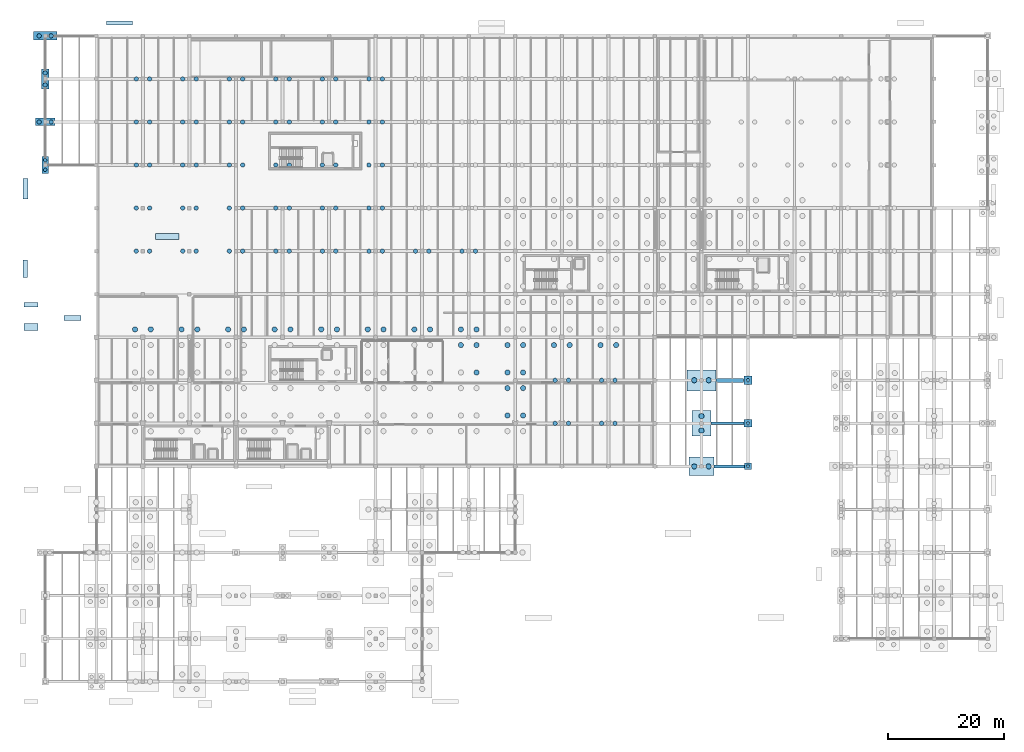
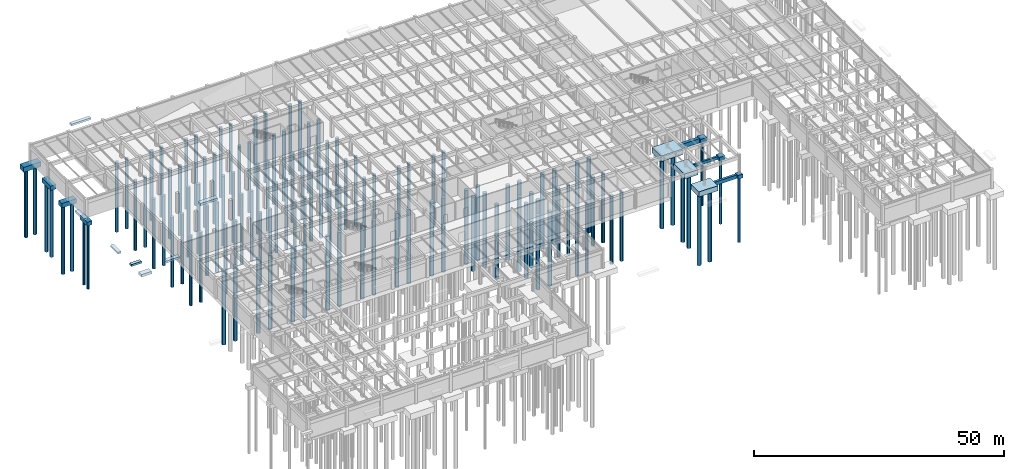
# One storey, part 4 of 40: 120 piles, 20 footings.
"""IFC4 building model written with IfcOpenShell, lengths in metres."""

from ifc_helpers import new_model, si_unit, direction, frame, origin, origin_2d, place, context, subcontext, project, spatial, polyline, rectangle, circle, outline, extrude, material, material_profile, profile_set, type_object, element, save


model = new_model("IFC4")

# Units and contexts
model_context = context("Model", 3, precision=1e-05, world=origin(), true_north=direction((0.0, 1.0)))
body_context = subcontext(model_context, "Body", "Model", "MODEL_VIEW")
ifc_project = project(units=[si_unit("LENGTHUNIT", "METRE"), si_unit("AREAUNIT", "SQUARE_METRE"), si_unit("VOLUMEUNIT", "CUBIC_METRE"), si_unit("PLANEANGLEUNIT", "RADIAN"), si_unit("MASSUNIT", "GRAM", prefix="KILO")], contexts=[model_context])

# Site, building, storey
site_placement = place(None, origin())
site = spatial("IfcSite", under=ifc_project, at=site_placement, CompositionType="ELEMENT")
building_placement = place(site_placement, origin())
building = spatial("IfcBuilding", under=site, at=building_placement, Name="Valkorina Park Police Headquarters", CompositionType="ELEMENT")
storey_placement = place(building_placement, frame((0.0, 0.0, -4.800048828125)))
storey = spatial("IfcBuildingStorey", under=building, at=storey_placement, Name="B01", CompositionType="ELEMENT", Elevation=-4.800048828125)

# Footings
ifc_material_1 = material(Name="Concrete C30/37", Category="concrete")
ifc_material_profile_1 = material_profile(ifc_material_1, rectangle(XDim=0.449951171875, YDim=0.699951171875, at=origin_2d()), Name="GB 450x700")
ifc_profile_set_1 = profile_set([ifc_material_profile_1], Name="Concrete C30/37")
footing_type_1 = type_object("IfcFootingType", Name="FT-GB-02", PredefinedType="FOOTING_BEAM", material=ifc_profile_set_1)
footing_1_placement = place(storey_placement, frame((0.0, 0.0, -0.699951171875)))
element("IfcFooting", 1, at=footing_1_placement, inside=storey, type_object=footing_type_1, Name="Pile Cap Tie Beam GB-02 #56", PredefinedType="FOOTING_BEAM", context=body_context, shape_type="SweptSolid", body=[
    extrude(outline(polyline([(120.1298828125, 44.175048828125), (120.1298828125, 44.625), (114.419921875, 44.625), (114.419921875, 44.175048828125), (120.1298828125, 44.175048828125)])), origin(), (0.0, 0.0, 1.0), 0.699951171875),
])
ifc_material_2 = material(Name="Concrete C35/45", Category="concrete")
ifc_material_profile_2 = material_profile(ifc_material_2, rectangle(XDim=0.550048828125, YDim=0.85009765625, at=origin_2d()), Name="GB 550x850")
ifc_profile_set_2 = profile_set([ifc_material_profile_2], Name="Concrete C35/45")
footing_type_2 = type_object("IfcFootingType", Name="FT-GB-04", PredefinedType="FOOTING_BEAM", material=ifc_profile_set_2)
footing_2_placement = place(storey_placement, frame((0.0, 0.0, -0.849853515625)))
element("IfcFooting", 2, at=footing_2_placement, inside=storey, type_object=footing_type_2, Name="Pile Cap Tie Beam GB-04 #52", PredefinedType="FOOTING_BEAM", context=body_context, shape_type="SweptSolid", body=[
    extrude(outline(polyline([(120.205078125, 36.72509765625), (120.205078125, 37.27490234375), (114.9951171875, 37.27490234375), (114.9951171875, 36.72509765625), (120.205078125, 36.72509765625)])), origin(), (0.0, 0.0, 1.0), 0.849853515625),
])
ifc_material_profile_3 = material_profile(ifc_material_2, rectangle(XDim=0.699951171875, YDim=1.050048828125, at=origin_2d()), Name="GB 700x1050")
ifc_profile_set_3 = profile_set([ifc_material_profile_3], Name="Concrete C35/45")
footing_type_3 = type_object("IfcFootingType", Name="FT-GB-06", PredefinedType="FOOTING_BEAM", material=ifc_profile_set_3)
footing_3_placement = place(storey_placement, frame((0.0, 0.0, -1.050048828125)))
element("IfcFooting", 3, at=footing_3_placement, inside=storey, type_object=footing_type_3, Name="Pile Cap Tie Beam GB-06 #60", PredefinedType="FOOTING_BEAM", context=body_context, shape_type="SweptSolid", body=[
    extrude(outline(polyline([(120.054931640625, 51.449951171875), (120.054931640625, 52.14990234375), (115.320068359375, 52.14990234375), (115.320068359375, 51.449951171875), (120.054931640625, 51.449951171875)])), origin(), (0.0, 0.0, 1.0), 1.050048828125),
])
ifc_material_3 = material(Name="Concrete C40/50", Category="concrete")
footing_type_4 = type_object("IfcFootingType", Name="FT-PC-01", PredefinedType="PILE_CAP", material=ifc_material_3)
footing_4_placement = place(storey_placement, frame((120.800048828125, 37.0, -0.89990234375), z_axis=(0.0, 0.0, 1.0), x_axis=(1.0, 0.0, 0.0)))
element("IfcFooting", 4, at=footing_4_placement, inside=storey, type_object=footing_type_4, Name="Pile Cap PC-01 #53", PredefinedType="PILE_CAP", context=body_context, shape_type="SweptSolid", body=[
    extrude(rectangle(XDim=1.14990234375, YDim=1.14990234375, at=origin_2d()), origin(), (0.0, 0.0, 1.0), 0.89990234375),
])
footing_type_5 = type_object("IfcFootingType", Name="FT-PC-02", PredefinedType="PILE_CAP", material=ifc_material_3)
footing_5_placement = place(storey_placement, frame((120.800048828125, 44.39990234375, -0.94970703125), z_axis=(0.0, 0.0, 1.0), x_axis=(1.0, 0.0, 0.0)))
element("IfcFooting", 5, at=footing_5_placement, inside=storey, type_object=footing_type_5, Name="Pile Cap PC-02 #54", PredefinedType="PILE_CAP", context=body_context, shape_type="SweptSolid", body=[
    extrude(rectangle(XDim=1.300048828125, YDim=1.300048828125, at=origin_2d()), origin(), (0.0, 0.0, 1.0), 0.949951171875),
])
footing_type_6 = type_object("IfcFootingType", Name="FT-PC-03", PredefinedType="PILE_CAP", material=ifc_material_3)
footing_6_placement = place(storey_placement, frame((120.800048828125, 51.800048828125, -1.0498046875), z_axis=(0.0, 0.0, 1.0), x_axis=(1.0, 0.0, 0.0)))
element("IfcFooting", 6, at=footing_6_placement, inside=storey, type_object=footing_type_6, Name="Pile Cap PC-03 #55", PredefinedType="PILE_CAP", context=body_context, shape_type="SweptSolid", body=[
    extrude(rectangle(XDim=1.449951171875, YDim=1.449951171875, at=origin_2d()), origin(), (0.0, 0.0, 1.0), 1.050048828125),
])
footing_type_7 = type_object("IfcFootingType", Name="FT-PC-05", PredefinedType="PILE_CAP", material=ifc_material_3)
footing_7_placement = place(storey_placement, frame((0.0, 88.800048828125, -0.94970703125), z_axis=(0.0, 0.0, 1.0), x_axis=(1.0, 0.0, 0.0)))
element("IfcFooting", 7, at=footing_7_placement, inside=storey, type_object=footing_type_7, Name="Pile Cap PC-05 #5", PredefinedType="PILE_CAP", context=body_context, shape_type="SweptSolid", body=[
    extrude(rectangle(XDim=1.14990234375, YDim=2.85009765625, at=origin_2d()), origin(), (0.0, 0.0, 1.0), 0.949951171875),
])
footing_type_8 = type_object("IfcFootingType", Name="FT-PC-06", PredefinedType="PILE_CAP", material=ifc_material_3)
footing_8_placement = place(storey_placement, frame((0.0, 96.199951171875, -1.0498046875), z_axis=(0.0, 0.0, 1.0), x_axis=(1.0, 0.0, 0.0)))
element("IfcFooting", 8, at=footing_8_placement, inside=storey, type_object=footing_type_8, Name="Pile Cap PC-06 #6", PredefinedType="PILE_CAP", context=body_context, shape_type="SweptSolid", body=[
    extrude(rectangle(XDim=3.39990234375, YDim=1.300048828125, at=origin_2d()), origin(), (0.0, 0.0, 1.0), 1.050048828125),
])
footing_type_9 = type_object("IfcFootingType", Name="FT-PC-07", PredefinedType="PILE_CAP", material=ifc_material_3)
footing_9_placement = place(storey_placement, frame((0.0, 103.60009765625, -1.0498046875), z_axis=(0.0, 0.0, 1.0), x_axis=(1.0, 0.0, 0.0)))
element("IfcFooting", 9, at=footing_9_placement, inside=storey, type_object=footing_type_9, Name="Pile Cap PC-07 #7", PredefinedType="PILE_CAP", context=body_context, shape_type="SweptSolid", body=[
    extrude(rectangle(XDim=1.300048828125, YDim=3.39990234375, at=origin_2d()), origin(), (0.0, 0.0, 1.0), 1.050048828125),
])
footing_type_10 = type_object("IfcFootingType", Name="FT-PC-08", PredefinedType="PILE_CAP", material=ifc_material_3)
footing_10_placement = place(storey_placement, frame((0.0, 111.0, -1.19970703125), z_axis=(0.0, 0.0, 1.0), x_axis=(1.0, 0.0, 0.0)))
element("IfcFooting", 10, at=footing_10_placement, inside=storey, type_object=footing_type_10, Name="Pile Cap PC-08 #8", PredefinedType="PILE_CAP", context=body_context, shape_type="SweptSolid", body=[
    extrude(rectangle(XDim=4.0, YDim=1.449951171875, at=origin_2d()), origin(), (0.0, 0.0, 1.0), 1.199951171875),
])
footing_type_11 = type_object("IfcFootingType", Name="FT-PC-24", PredefinedType="PILE_CAP", material=ifc_material_3)
footing_11_placement = place(storey_placement, frame((112.800048828125, 37.0, -1.25), z_axis=(0.0, 0.0, 1.0), x_axis=(1.0, 0.0, 0.0)))
element("IfcFooting", 11, at=footing_11_placement, inside=storey, type_object=footing_type_11, Name="Pile Cap PC-24 #50", PredefinedType="PILE_CAP", context=body_context, shape_type="SweptSolid", body=[
    extrude(rectangle(XDim=4.35009765625, YDim=3.199951171875, at=origin_2d()), origin(), (0.0, 0.0, 1.0), 1.25),
])
footing_type_12 = type_object("IfcFootingType", Name="FT-PC-25", PredefinedType="PILE_CAP", material=ifc_material_3)
footing_12_placement = place(storey_placement, frame((112.800048828125, 44.39990234375, -1.25), z_axis=(0.0, 0.0, 1.0), x_axis=(1.0, 0.0, 0.0)))
element("IfcFooting", 12, at=footing_12_placement, inside=storey, type_object=footing_type_12, Name="Pile Cap PC-25 #51", PredefinedType="PILE_CAP", context=body_context, shape_type="SweptSolid", body=[
    extrude(rectangle(XDim=3.199951171875, YDim=4.35009765625, at=origin_2d()), origin(), (0.0, 0.0, 1.0), 1.25),
])
footing_type_13 = type_object("IfcFootingType", Name="FT-PC-26", PredefinedType="PILE_CAP", material=ifc_material_3)
footing_13_placement = place(storey_placement, frame((112.800048828125, 51.800048828125, -1.39990234375), z_axis=(0.0, 0.0, 1.0), x_axis=(1.0, 0.0, 0.0)))
element("IfcFooting", 13, at=footing_13_placement, inside=storey, type_object=footing_type_13, Name="Pile Cap PC-26 #52", PredefinedType="PILE_CAP", context=body_context, shape_type="SweptSolid", body=[
    extrude(rectangle(XDim=5.0, YDim=3.60009765625, at=origin_2d()), origin(), (0.0, 0.0, 1.0), 1.39990234375),
])
ifc_material_profile_4 = material_profile(ifc_material_2, rectangle(XDim=0.75, YDim=0.449951171875, at=origin_2d()), Name="SF 750x450")
ifc_profile_set_4 = profile_set([ifc_material_profile_4], Name="Concrete C35/45")
footing_type_14 = type_object("IfcFootingType", Name="FT-SF-01", PredefinedType="STRIP_FOOTING", material=ifc_profile_set_4)
footing_14_placement = place(storey_placement, frame((0.0, 0.0, 4.170166015625)))
element("IfcFooting", 14, at=footing_14_placement, inside=storey, type_object=footing_type_14, Name="Grade Apron Strip Footing SF-01 #5", PredefinedType="STRIP_FOOTING", context=body_context, shape_type="SweptSolid", body=[
    extrude(outline(polyline([(-1.199951171875, 64.425048828125), (-1.199951171875, 65.175048828125), (-3.60009765625, 65.175048828125), (-3.60009765625, 64.425048828125), (-1.199951171875, 64.425048828125)])), origin(), (0.0, 0.0, 1.0), 0.449951171875),
])
footing_15_placement = place(storey_placement, frame((0.0, 0.0, 4.170166015625)))
element("IfcFooting", 15, at=footing_15_placement, inside=storey, type_object=footing_type_14, Name="Grade Apron Strip Footing SF-01 #17", PredefinedType="STRIP_FOOTING", context=body_context, shape_type="SweptSolid", body=[
    extrude(outline(polyline([(15.0, 112.824951171875), (15.0, 113.574951171875), (10.5, 113.574951171875), (10.5, 112.824951171875), (15.0, 112.824951171875)])), origin(), (0.0, 0.0, 1.0), 0.449951171875),
])
footing_16_placement = place(storey_placement, frame((0.0, 0.0, 4.170166015625)))
element("IfcFooting", 16, at=footing_16_placement, inside=storey, type_object=footing_type_14, Name="Grade Apron Strip Footing SF-01 #21", PredefinedType="STRIP_FOOTING", context=body_context, shape_type="SweptSolid", body=[
    extrude(outline(polyline([(-3.02490234375, 69.5), (-3.02490234375, 72.5), (-3.77490234375, 72.5), (-3.77490234375, 69.5), (-3.02490234375, 69.5)])), origin(), (0.0, 0.0, 1.0), 0.449951171875),
])
ifc_material_profile_5 = material_profile(ifc_material_2, rectangle(XDim=0.89990234375, YDim=0.5, at=origin_2d()), Name="SF 900x500")
ifc_profile_set_5 = profile_set([ifc_material_profile_5], Name="Concrete C35/45")
footing_type_15 = type_object("IfcFootingType", Name="FT-SF-02", PredefinedType="STRIP_FOOTING", material=ifc_profile_set_5)
footing_17_placement = place(storey_placement, frame((0.0, 0.0, 4.1201171875)))
element("IfcFooting", 17, at=footing_17_placement, inside=storey, type_object=footing_type_15, Name="Grade Apron Strip Footing SF-02 #6", PredefinedType="STRIP_FOOTING", context=body_context, shape_type="SweptSolid", body=[
    extrude(outline(polyline([(6.199951171875, 62.050048828125), (6.199951171875, 62.949951171875), (3.199951171875, 62.949951171875), (3.199951171875, 62.050048828125), (6.199951171875, 62.050048828125)])), origin(), (0.0, 0.0, 1.0), 0.5),
])
footing_18_placement = place(storey_placement, frame((0.0, 0.0, 4.1201171875)))
element("IfcFooting", 18, at=footing_18_placement, inside=storey, type_object=footing_type_15, Name="Grade Apron Strip Footing SF-02 #22", PredefinedType="STRIP_FOOTING", context=body_context, shape_type="SweptSolid", body=[
    extrude(outline(polyline([(-2.949951171875, 83.0), (-2.949951171875, 86.5), (-3.85009765625, 86.5), (-3.85009765625, 83.0), (-2.949951171875, 83.0)])), origin(), (0.0, 0.0, 1.0), 0.5),
])
ifc_material_profile_6 = material_profile(ifc_material_2, rectangle(XDim=1.050048828125, YDim=0.550048828125, at=origin_2d()), Name="SF 1050x550")
ifc_profile_set_6 = profile_set([ifc_material_profile_6], Name="Concrete C35/45")
footing_type_16 = type_object("IfcFootingType", Name="FT-SF-03", PredefinedType="STRIP_FOOTING", material=ifc_profile_set_6)
footing_19_placement = place(storey_placement, frame((0.0, 0.0, 4.070068359375)))
element("IfcFooting", 19, at=footing_19_placement, inside=storey, type_object=footing_type_16, Name="Grade Apron Strip Footing SF-03 #23", PredefinedType="STRIP_FOOTING", context=body_context, shape_type="SweptSolid", body=[
    extrude(outline(polyline([(23.0, 75.97509765625), (23.0, 77.02490234375), (19.0, 77.02490234375), (19.0, 75.97509765625), (23.0, 75.97509765625)])), origin(), (0.0, 0.0, 1.0), 0.550048828125),
])
ifc_material_profile_7 = material_profile(ifc_material_2, rectangle(XDim=1.199951171875, YDim=0.60009765625, at=origin_2d()), Name="SF 1200x600")
ifc_profile_set_7 = profile_set([ifc_material_profile_7], Name="Concrete C35/45")
footing_type_17 = type_object("IfcFootingType", Name="FT-SF-04", PredefinedType="STRIP_FOOTING", material=ifc_profile_set_7)
footing_20_placement = place(storey_placement, frame((0.0, 0.0, 4.02001953125)))
element("IfcFooting", 20, at=footing_20_placement, inside=storey, type_object=footing_type_17, Name="Grade Apron Strip Footing SF-04 #4", PredefinedType="STRIP_FOOTING", context=body_context, shape_type="SweptSolid", body=[
    extrude(outline(polyline([(-1.199951171875, 60.39990234375), (-1.199951171875, 61.60009765625), (-3.60009765625, 61.60009765625), (-3.60009765625, 60.39990234375), (-1.199951171875, 60.39990234375)])), origin(), (0.0, 0.0, 1.0), 0.60009765625),
])

# Piles
ifc_material_profile_8 = material_profile(ifc_material_1, circle(Radius=0.300048828125, at=origin_2d()), Name="BORED PILE D600")
ifc_profile_set_8 = profile_set([ifc_material_profile_8], Name="Concrete C30/37")
pile_type_1 = type_object("IfcPileType", Name="PL-BORED-D600", PredefinedType="BORED", material=ifc_profile_set_8)
for number, where, z_axis, x_axis, name in (
    (21, (0.0, 87.97509765625, -0.800048828125), (0.0, 0.0, -1.0), (1.0, 0.0, 0.0), "Bored Pile 0360 (Cap PC-05)"),
    (22, (0.0, 89.625, -0.800048828125), (0.0, 0.0, -1.0), (1.0, 0.0, 0.0), "Bored Pile 0361 (Cap PC-05)"),
):
    element("IfcPile", number, at=place(storey_placement, frame(where, z_axis=z_axis, x_axis=x_axis)), inside=storey, type_object=pile_type_1, Name=name, PredefinedType="BORED", context=body_context, shape_type="SweptSolid", body=[
        extrude(circle(Radius=0.300048828125, at=origin_2d()), origin(), (0.0, 0.0, 1.0), 15.89990234375),
    ])
pile_1_placement = place(storey_placement, frame((120.800048828125, 37.0, -0.75), z_axis=(0.0, 0.0, -1.0), x_axis=(1.0, 0.0, 0.0)))
element("IfcPile", 23, at=pile_1_placement, inside=storey, type_object=pile_type_1, Name="Bored Pile 0481 (Cap PC-01)", PredefinedType="BORED", context=body_context, shape_type="SweptSolid", body=[
    extrude(circle(Radius=0.300048828125, at=origin_2d()), origin(), (0.0, 0.0, 1.0), 15.949951171875),
])
pile_2_placement = place(storey_placement, frame((120.800048828125, 44.39990234375, -0.800048828125), z_axis=(0.0, 0.0, -1.0), x_axis=(1.0, 0.0, 0.0)))
element("IfcPile", 24, at=pile_2_placement, inside=storey, type_object=pile_type_1, Name="Bored Pile 0482 (Cap PC-02)", PredefinedType="BORED", context=body_context, shape_type="SweptSolid", body=[
    extrude(circle(Radius=0.300048828125, at=origin_2d()), origin(), (0.0, 0.0, 1.0), 15.89990234375),
])
pile_3_placement = place(storey_placement, frame((120.800048828125, 51.800048828125, -0.89990234375), z_axis=(0.0, 0.0, -1.0), x_axis=(1.0, 0.0, 0.0)))
element("IfcPile", 25, at=pile_3_placement, inside=storey, type_object=pile_type_1, Name="Bored Pile 0483 (Cap PC-03)", PredefinedType="BORED", context=body_context, shape_type="SweptSolid", body=[
    extrude(circle(Radius=0.300048828125, at=origin_2d()), origin(), (0.0, 0.0, 1.0), 15.800048828125),
])
ifc_material_profile_9 = material_profile(ifc_material_1, circle(Radius=0.375, at=origin_2d()), Name="BORED PILE D750")
ifc_profile_set_9 = profile_set([ifc_material_profile_9], Name="Concrete C30/37")
pile_type_2 = type_object("IfcPileType", Name="PL-BORED-D750", PredefinedType="BORED", material=ifc_profile_set_9)
for number, where, z_axis, x_axis, name in (
    (26, (15.64990234375, 74.0, -0.64990234375), (0.0, 0.0, -1.0), (1.0, 0.0, 0.0), "Bored Pile 0013 (Raft Cluster)"),
    (27, (17.949951171875, 74.0, -0.64990234375), (0.0, 0.0, -1.0), (1.0, 0.0, 0.0), "Bored Pile 0014 (Raft Cluster)"),
    (28, (15.64990234375, 81.39990234375, -0.64990234375), (0.0, 0.0, -1.0), (1.0, 0.0, 0.0), "Bored Pile 0015 (Raft Cluster)"),
    (29, (17.949951171875, 81.39990234375, -0.64990234375), (0.0, 0.0, -1.0), (1.0, 0.0, 0.0), "Bored Pile 0016 (Raft Cluster)"),
    (30, (15.64990234375, 88.800048828125, -0.64990234375), (0.0, 0.0, -1.0), (1.0, 0.0, 0.0), "Bored Pile 0017 (Raft Cluster)"),
    (31, (17.949951171875, 88.800048828125, -0.64990234375), (0.0, 0.0, -1.0), (1.0, 0.0, 0.0), "Bored Pile 0018 (Raft Cluster)"),
    (32, (15.64990234375, 96.199951171875, -0.64990234375), (0.0, 0.0, -1.0), (1.0, 0.0, 0.0), "Bored Pile 0019 (Raft Cluster)"),
    (33, (17.949951171875, 96.199951171875, -0.64990234375), (0.0, 0.0, -1.0), (1.0, 0.0, 0.0), "Bored Pile 0020 (Raft Cluster)"),
    (34, (15.64990234375, 103.60009765625, -0.64990234375), (0.0, 0.0, -1.0), (1.0, 0.0, 0.0), "Bored Pile 0021 (Raft Cluster)"),
    (35, (17.949951171875, 103.60009765625, -0.64990234375), (0.0, 0.0, -1.0), (1.0, 0.0, 0.0), "Bored Pile 0022 (Raft Cluster)"),
    (36, (23.64990234375, 74.0, -0.64990234375), (0.0, 0.0, -1.0), (1.0, 0.0, 0.0), "Bored Pile 0035 (Raft Cluster)"),
    (37, (25.949951171875, 74.0, -0.64990234375), (0.0, 0.0, -1.0), (1.0, 0.0, 0.0), "Bored Pile 0036 (Raft Cluster)"),
    (38, (23.64990234375, 81.39990234375, -0.64990234375), (0.0, 0.0, -1.0), (1.0, 0.0, 0.0), "Bored Pile 0037 (Raft Cluster)"),
    (39, (25.949951171875, 81.39990234375, -0.64990234375), (0.0, 0.0, -1.0), (1.0, 0.0, 0.0), "Bored Pile 0038 (Raft Cluster)"),
    (40, (23.64990234375, 88.800048828125, -0.64990234375), (0.0, 0.0, -1.0), (1.0, 0.0, 0.0), "Bored Pile 0039 (Raft Cluster)"),
    (41, (25.949951171875, 88.800048828125, -0.64990234375), (0.0, 0.0, -1.0), (1.0, 0.0, 0.0), "Bored Pile 0040 (Raft Cluster)"),
    (42, (23.64990234375, 96.199951171875, -0.64990234375), (0.0, 0.0, -1.0), (1.0, 0.0, 0.0), "Bored Pile 0041 (Raft Cluster)"),
    (43, (25.949951171875, 96.199951171875, -0.64990234375), (0.0, 0.0, -1.0), (1.0, 0.0, 0.0), "Bored Pile 0042 (Raft Cluster)"),
    (44, (23.64990234375, 103.60009765625, -0.64990234375), (0.0, 0.0, -1.0), (1.0, 0.0, 0.0), "Bored Pile 0043 (Raft Cluster)"),
    (45, (25.949951171875, 103.60009765625, -0.64990234375), (0.0, 0.0, -1.0), (1.0, 0.0, 0.0), "Bored Pile 0044 (Raft Cluster)"),
    (46, (31.64990234375, 74.0, -0.64990234375), (0.0, 0.0, -1.0), (1.0, 0.0, 0.0), "Bored Pile 0057 (Raft Cluster)"),
    (47, (33.949951171875, 74.0, -0.64990234375), (0.0, 0.0, -1.0), (1.0, 0.0, 0.0), "Bored Pile 0058 (Raft Cluster)"),
    (48, (31.64990234375, 81.39990234375, -0.64990234375), (0.0, 0.0, -1.0), (1.0, 0.0, 0.0), "Bored Pile 0059 (Raft Cluster)"),
    (49, (33.949951171875, 81.39990234375, -0.64990234375), (0.0, 0.0, -1.0), (1.0, 0.0, 0.0), "Bored Pile 0060 (Raft Cluster)"),
    (50, (31.64990234375, 88.800048828125, -0.64990234375), (0.0, 0.0, -1.0), (1.0, 0.0, 0.0), "Bored Pile 0061 (Raft Cluster)"),
    (51, (33.949951171875, 88.800048828125, -0.64990234375), (0.0, 0.0, -1.0), (1.0, 0.0, 0.0), "Bored Pile 0062 (Raft Cluster)"),
    (52, (31.64990234375, 96.199951171875, -0.64990234375), (0.0, 0.0, -1.0), (1.0, 0.0, 0.0), "Bored Pile 0063 (Raft Cluster)"),
    (53, (33.949951171875, 96.199951171875, -0.64990234375), (0.0, 0.0, -1.0), (1.0, 0.0, 0.0), "Bored Pile 0064 (Raft Cluster)"),
    (54, (31.64990234375, 103.60009765625, -0.64990234375), (0.0, 0.0, -1.0), (1.0, 0.0, 0.0), "Bored Pile 0065 (Raft Cluster)"),
    (55, (33.949951171875, 103.60009765625, -0.64990234375), (0.0, 0.0, -1.0), (1.0, 0.0, 0.0), "Bored Pile 0066 (Raft Cluster)"),
    (56, (39.64990234375, 74.0, -0.64990234375), (0.0, 0.0, -1.0), (1.0, 0.0, 0.0), "Bored Pile 0079 (Raft Cluster)"),
    (57, (41.949951171875, 74.0, -0.64990234375), (0.0, 0.0, -1.0), (1.0, 0.0, 0.0), "Bored Pile 0080 (Raft Cluster)"),
    (58, (39.64990234375, 81.39990234375, -0.64990234375), (0.0, 0.0, -1.0), (1.0, 0.0, 0.0), "Bored Pile 0081 (Raft Cluster)"),
    (59, (41.949951171875, 81.39990234375, -0.64990234375), (0.0, 0.0, -1.0), (1.0, 0.0, 0.0), "Bored Pile 0082 (Raft Cluster)"),
    (60, (39.64990234375, 88.800048828125, -0.64990234375), (0.0, 0.0, -1.0), (1.0, 0.0, 0.0), "Bored Pile 0083 (Raft Cluster)"),
    (61, (41.949951171875, 88.800048828125, -0.64990234375), (0.0, 0.0, -1.0), (1.0, 0.0, 0.0), "Bored Pile 0084 (Raft Cluster)"),
    (62, (39.64990234375, 96.199951171875, -0.64990234375), (0.0, 0.0, -1.0), (1.0, 0.0, 0.0), "Bored Pile 0085 (Raft Cluster)"),
    (63, (41.949951171875, 96.199951171875, -0.64990234375), (0.0, 0.0, -1.0), (1.0, 0.0, 0.0), "Bored Pile 0086 (Raft Cluster)"),
    (64, (39.64990234375, 103.60009765625, -0.64990234375), (0.0, 0.0, -1.0), (1.0, 0.0, 0.0), "Bored Pile 0087 (Raft Cluster)"),
    (65, (41.949951171875, 103.60009765625, -0.64990234375), (0.0, 0.0, -1.0), (1.0, 0.0, 0.0), "Bored Pile 0088 (Raft Cluster)"),
    (66, (47.64990234375, 74.0, -0.64990234375), (0.0, 0.0, -1.0), (1.0, 0.0, 0.0), "Bored Pile 0101 (Raft Cluster)"),
    (67, (49.949951171875, 74.0, -0.64990234375), (0.0, 0.0, -1.0), (1.0, 0.0, 0.0), "Bored Pile 0102 (Raft Cluster)"),
    (68, (47.64990234375, 81.39990234375, -0.64990234375), (0.0, 0.0, -1.0), (1.0, 0.0, 0.0), "Bored Pile 0103 (Raft Cluster)"),
    (69, (49.949951171875, 81.39990234375, -0.64990234375), (0.0, 0.0, -1.0), (1.0, 0.0, 0.0), "Bored Pile 0104 (Raft Cluster)"),
    (70, (47.64990234375, 88.800048828125, -0.64990234375), (0.0, 0.0, -1.0), (1.0, 0.0, 0.0), "Bored Pile 0105 (Raft Cluster)"),
    (71, (49.949951171875, 88.800048828125, -0.64990234375), (0.0, 0.0, -1.0), (1.0, 0.0, 0.0), "Bored Pile 0106 (Raft Cluster)"),
    (72, (47.64990234375, 96.199951171875, -0.64990234375), (0.0, 0.0, -1.0), (1.0, 0.0, 0.0), "Bored Pile 0107 (Raft Cluster)"),
    (73, (49.949951171875, 96.199951171875, -0.64990234375), (0.0, 0.0, -1.0), (1.0, 0.0, 0.0), "Bored Pile 0108 (Raft Cluster)"),
    (74, (47.64990234375, 103.60009765625, -0.64990234375), (0.0, 0.0, -1.0), (1.0, 0.0, 0.0), "Bored Pile 0109 (Raft Cluster)"),
    (75, (49.949951171875, 103.60009765625, -0.64990234375), (0.0, 0.0, -1.0), (1.0, 0.0, 0.0), "Bored Pile 0110 (Raft Cluster)"),
    (76, (55.64990234375, 74.0, -0.64990234375), (0.0, 0.0, -1.0), (1.0, 0.0, 0.0), "Bored Pile 0123 (Raft Cluster)"),
    (77, (57.949951171875, 74.0, -0.64990234375), (0.0, 0.0, -1.0), (1.0, 0.0, 0.0), "Bored Pile 0124 (Raft Cluster)"),
    (78, (55.64990234375, 81.39990234375, -0.64990234375), (0.0, 0.0, -1.0), (1.0, 0.0, 0.0), "Bored Pile 0125 (Raft Cluster)"),
    (79, (57.949951171875, 81.39990234375, -0.64990234375), (0.0, 0.0, -1.0), (1.0, 0.0, 0.0), "Bored Pile 0126 (Raft Cluster)"),
    (80, (55.64990234375, 88.800048828125, -0.64990234375), (0.0, 0.0, -1.0), (1.0, 0.0, 0.0), "Bored Pile 0127 (Raft Cluster)"),
    (81, (57.949951171875, 88.800048828125, -0.64990234375), (0.0, 0.0, -1.0), (1.0, 0.0, 0.0), "Bored Pile 0128 (Raft Cluster)"),
    (82, (55.64990234375, 96.199951171875, -0.64990234375), (0.0, 0.0, -1.0), (1.0, 0.0, 0.0), "Bored Pile 0129 (Raft Cluster)"),
    (83, (57.949951171875, 96.199951171875, -0.64990234375), (0.0, 0.0, -1.0), (1.0, 0.0, 0.0), "Bored Pile 0130 (Raft Cluster)"),
    (84, (55.64990234375, 103.60009765625, -0.64990234375), (0.0, 0.0, -1.0), (1.0, 0.0, 0.0), "Bored Pile 0131 (Raft Cluster)"),
    (85, (57.949951171875, 103.60009765625, -0.64990234375), (0.0, 0.0, -1.0), (1.0, 0.0, 0.0), "Bored Pile 0132 (Raft Cluster)"),
    (86, (63.64990234375, 74.0, -0.64990234375), (0.0, 0.0, -1.0), (1.0, 0.0, 0.0), "Bored Pile 0145 (Raft Cluster)"),
    (87, (65.949951171875, 74.0, -0.64990234375), (0.0, 0.0, -1.0), (1.0, 0.0, 0.0), "Bored Pile 0146 (Raft Cluster)"),
    (88, (71.64990234375, 74.0, -0.64990234375), (0.0, 0.0, -1.0), (1.0, 0.0, 0.0), "Bored Pile 0167 (Raft Cluster)"),
    (89, (73.949951171875, 74.0, -0.64990234375), (0.0, 0.0, -1.0), (1.0, 0.0, 0.0), "Bored Pile 0168 (Raft Cluster)"),
):
    element("IfcPile", number, at=place(storey_placement, frame(where, z_axis=z_axis, x_axis=x_axis)), inside=storey, type_object=pile_type_2, Name=name, PredefinedType="BORED", context=body_context, shape_type="SweptSolid", body=[
        extrude(circle(Radius=0.375, at=origin_2d()), origin(), (0.0, 0.0, 1.0), 17.050048828125),
    ])
for number, where, z_axis, x_axis, name in (
    (90, (87.64990234375, 44.39990234375, -0.89990234375), (0.0, 0.0, -1.0), (1.0, 0.0, 0.0), "Bored Pile 0207 (Raft Cluster)"),
    (91, (89.949951171875, 44.39990234375, -0.89990234375), (0.0, 0.0, -1.0), (1.0, 0.0, 0.0), "Bored Pile 0208 (Raft Cluster)"),
    (92, (87.64990234375, 51.800048828125, -0.89990234375), (0.0, 0.0, -1.0), (1.0, 0.0, 0.0), "Bored Pile 0209 (Raft Cluster)"),
    (93, (89.949951171875, 51.800048828125, -0.89990234375), (0.0, 0.0, -1.0), (1.0, 0.0, 0.0), "Bored Pile 0210 (Raft Cluster)"),
    (94, (95.64990234375, 44.39990234375, -0.89990234375), (0.0, 0.0, -1.0), (1.0, 0.0, 0.0), "Bored Pile 0233 (Raft Cluster)"),
    (95, (97.949951171875, 44.39990234375, -0.89990234375), (0.0, 0.0, -1.0), (1.0, 0.0, 0.0), "Bored Pile 0234 (Raft Cluster)"),
    (96, (95.64990234375, 51.800048828125, -0.89990234375), (0.0, 0.0, -1.0), (1.0, 0.0, 0.0), "Bored Pile 0235 (Raft Cluster)"),
    (97, (97.949951171875, 51.800048828125, -0.89990234375), (0.0, 0.0, -1.0), (1.0, 0.0, 0.0), "Bored Pile 0236 (Raft Cluster)"),
    (98, (-1.03125, 96.199951171875, -0.89990234375), (0.0, 0.0, -1.0), (1.0, 0.0, 0.0), "Bored Pile 0362 (Cap PC-06)"),
    (99, (1.03125, 96.199951171875, -0.89990234375), (0.0, 0.0, -1.0), (1.0, 0.0, 0.0), "Bored Pile 0363 (Cap PC-06)"),
    (100, (0.0, 102.568603515625, -0.89990234375), (0.0, 0.0, -1.0), (1.0, 0.0, 0.0), "Bored Pile 0364 (Cap PC-07)"),
    (101, (0.0, 104.631103515625, -0.89990234375), (0.0, 0.0, -1.0), (1.0, 0.0, 0.0), "Bored Pile 0365 (Cap PC-07)"),
):
    element("IfcPile", number, at=place(storey_placement, frame(where, z_axis=z_axis, x_axis=x_axis)), inside=storey, type_object=pile_type_2, Name=name, PredefinedType="BORED", context=body_context, shape_type="SweptSolid", body=[
        extrude(circle(Radius=0.375, at=origin_2d()), origin(), (0.0, 0.0, 1.0), 16.800048828125),
    ])
for number, where, z_axis, x_axis, name in (
    (102, (-1.03125, 111.0, -1.050048828125), (0.0, 0.0, -1.0), (1.0, 0.0, 0.0), "Bored Pile 0366 (Cap PC-08)"),
    (103, (1.03125, 111.0, -1.050048828125), (0.0, 0.0, -1.0), (1.0, 0.0, 0.0), "Bored Pile 0367 (Cap PC-08)"),
):
    element("IfcPile", number, at=place(storey_placement, frame(where, z_axis=z_axis, x_axis=x_axis)), inside=storey, type_object=pile_type_2, Name=name, PredefinedType="BORED", context=body_context, shape_type="SweptSolid", body=[
        extrude(circle(Radius=0.375, at=origin_2d()), origin(), (0.0, 0.0, 1.0), 16.64990234375),
    ])
ifc_material_profile_10 = material_profile(ifc_material_2, circle(Radius=0.449951171875, at=origin_2d()), Name="BORED PILE D900")
ifc_profile_set_10 = profile_set([ifc_material_profile_10], Name="Concrete C35/45")
pile_type_3 = type_object("IfcPileType", Name="PL-BORED-D900", PredefinedType="BORED", material=ifc_profile_set_10)
for number, where, z_axis, x_axis, name in (
    (104, (15.449951171875, 60.550048828125, -0.89990234375), (0.0, 0.0, -1.0), (1.0, 0.0, 0.0), "Bored Pile 0011 (Raft Cluster)"),
    (105, (18.14990234375, 60.550048828125, -0.89990234375), (0.0, 0.0, -1.0), (1.0, 0.0, 0.0), "Bored Pile 0012 (Raft Cluster)"),
    (106, (23.449951171875, 60.550048828125, -0.89990234375), (0.0, 0.0, -1.0), (1.0, 0.0, 0.0), "Bored Pile 0033 (Raft Cluster)"),
    (107, (26.14990234375, 60.550048828125, -0.89990234375), (0.0, 0.0, -1.0), (1.0, 0.0, 0.0), "Bored Pile 0034 (Raft Cluster)"),
    (108, (31.449951171875, 60.550048828125, -0.89990234375), (0.0, 0.0, -1.0), (1.0, 0.0, 0.0), "Bored Pile 0055 (Raft Cluster)"),
    (109, (34.14990234375, 60.550048828125, -0.89990234375), (0.0, 0.0, -1.0), (1.0, 0.0, 0.0), "Bored Pile 0056 (Raft Cluster)"),
    (110, (39.449951171875, 60.550048828125, -0.89990234375), (0.0, 0.0, -1.0), (1.0, 0.0, 0.0), "Bored Pile 0077 (Raft Cluster)"),
    (111, (42.14990234375, 60.550048828125, -0.89990234375), (0.0, 0.0, -1.0), (1.0, 0.0, 0.0), "Bored Pile 0078 (Raft Cluster)"),
    (112, (47.449951171875, 60.550048828125, -0.89990234375), (0.0, 0.0, -1.0), (1.0, 0.0, 0.0), "Bored Pile 0099 (Raft Cluster)"),
    (113, (50.14990234375, 60.550048828125, -0.89990234375), (0.0, 0.0, -1.0), (1.0, 0.0, 0.0), "Bored Pile 0100 (Raft Cluster)"),
    (114, (55.449951171875, 60.550048828125, -0.89990234375), (0.0, 0.0, -1.0), (1.0, 0.0, 0.0), "Bored Pile 0121 (Raft Cluster)"),
    (115, (58.14990234375, 60.550048828125, -0.89990234375), (0.0, 0.0, -1.0), (1.0, 0.0, 0.0), "Bored Pile 0122 (Raft Cluster)"),
    (116, (63.449951171875, 60.550048828125, -0.89990234375), (0.0, 0.0, -1.0), (1.0, 0.0, 0.0), "Bored Pile 0143 (Raft Cluster)"),
    (117, (66.14990234375, 60.550048828125, -0.89990234375), (0.0, 0.0, -1.0), (1.0, 0.0, 0.0), "Bored Pile 0144 (Raft Cluster)"),
    (118, (74.14990234375, 53.14990234375, -0.89990234375), (0.0, 0.0, -1.0), (1.0, 0.0, 0.0), "Bored Pile 0162 (Raft Cluster)"),
    (119, (71.449951171875, 57.85009765625, -0.89990234375), (0.0, 0.0, -1.0), (1.0, 0.0, 0.0), "Bored Pile 0163 (Raft Cluster)"),
    (120, (74.14990234375, 57.85009765625, -0.89990234375), (0.0, 0.0, -1.0), (1.0, 0.0, 0.0), "Bored Pile 0164 (Raft Cluster)"),
    (121, (71.449951171875, 60.550048828125, -0.89990234375), (0.0, 0.0, -1.0), (1.0, 0.0, 0.0), "Bored Pile 0165 (Raft Cluster)"),
    (122, (74.14990234375, 60.550048828125, -0.89990234375), (0.0, 0.0, -1.0), (1.0, 0.0, 0.0), "Bored Pile 0166 (Raft Cluster)"),
    (123, (79.449951171875, 45.75, -0.89990234375), (0.0, 0.0, -1.0), (1.0, 0.0, 0.0), "Bored Pile 0179 (Raft Cluster)"),
    (124, (82.14990234375, 45.75, -0.89990234375), (0.0, 0.0, -1.0), (1.0, 0.0, 0.0), "Bored Pile 0180 (Raft Cluster)"),
    (125, (79.449951171875, 50.449951171875, -0.89990234375), (0.0, 0.0, -1.0), (1.0, 0.0, 0.0), "Bored Pile 0181 (Raft Cluster)"),
    (126, (82.14990234375, 50.449951171875, -0.89990234375), (0.0, 0.0, -1.0), (1.0, 0.0, 0.0), "Bored Pile 0182 (Raft Cluster)"),
    (127, (79.449951171875, 53.14990234375, -0.89990234375), (0.0, 0.0, -1.0), (1.0, 0.0, 0.0), "Bored Pile 0183 (Raft Cluster)"),
    (128, (82.14990234375, 53.14990234375, -0.89990234375), (0.0, 0.0, -1.0), (1.0, 0.0, 0.0), "Bored Pile 0184 (Raft Cluster)"),
    (129, (79.449951171875, 57.85009765625, -0.89990234375), (0.0, 0.0, -1.0), (1.0, 0.0, 0.0), "Bored Pile 0185 (Raft Cluster)"),
    (130, (82.14990234375, 57.85009765625, -0.89990234375), (0.0, 0.0, -1.0), (1.0, 0.0, 0.0), "Bored Pile 0186 (Raft Cluster)"),
    (131, (87.449951171875, 57.85009765625, -0.89990234375), (0.0, 0.0, -1.0), (1.0, 0.0, 0.0), "Bored Pile 0211 (Raft Cluster)"),
    (132, (90.14990234375, 57.85009765625, -0.89990234375), (0.0, 0.0, -1.0), (1.0, 0.0, 0.0), "Bored Pile 0212 (Raft Cluster)"),
    (133, (95.449951171875, 57.85009765625, -0.89990234375), (0.0, 0.0, -1.0), (1.0, 0.0, 0.0), "Bored Pile 0237 (Raft Cluster)"),
    (134, (98.14990234375, 57.85009765625, -0.89990234375), (0.0, 0.0, -1.0), (1.0, 0.0, 0.0), "Bored Pile 0238 (Raft Cluster)"),
):
    element("IfcPile", number, at=place(storey_placement, frame(where, z_axis=z_axis, x_axis=x_axis)), inside=storey, type_object=pile_type_3, Name=name, PredefinedType="BORED", context=body_context, shape_type="SweptSolid", body=[
        extrude(circle(Radius=0.449951171875, at=origin_2d()), origin(), (0.0, 0.0, 1.0), 18.10009765625),
    ])
for number, where, z_axis, x_axis, name in (
    (135, (111.5625, 37.0, -1.099853515625), (0.0, 0.0, -1.0), (1.0, 0.0, 0.0), "Bored Pile 0475 (Cap PC-24)"),
    (136, (114.03759765625, 37.0, -1.099853515625), (0.0, 0.0, -1.0), (1.0, 0.0, 0.0), "Bored Pile 0476 (Cap PC-24)"),
    (137, (112.800048828125, 43.16259765625, -1.099853515625), (0.0, 0.0, -1.0), (1.0, 0.0, 0.0), "Bored Pile 0477 (Cap PC-25)"),
    (138, (112.800048828125, 45.637451171875, -1.099853515625), (0.0, 0.0, -1.0), (1.0, 0.0, 0.0), "Bored Pile 0478 (Cap PC-25)"),
):
    element("IfcPile", number, at=place(storey_placement, frame(where, z_axis=z_axis, x_axis=x_axis)), inside=storey, type_object=pile_type_3, Name=name, PredefinedType="BORED", context=body_context, shape_type="SweptSolid", body=[
        extrude(circle(Radius=0.449951171875, at=origin_2d()), origin(), (0.0, 0.0, 1.0), 17.89990234375),
    ])
for number, where, z_axis, x_axis, name in (
    (139, (111.5625, 51.800048828125, -1.25), (0.0, 0.0, -1.0), (1.0, 0.0, 0.0), "Bored Pile 0479 (Cap PC-26)"),
    (140, (114.03759765625, 51.800048828125, -1.25), (0.0, 0.0, -1.0), (1.0, 0.0, 0.0), "Bored Pile 0480 (Cap PC-26)"),
):
    element("IfcPile", number, at=place(storey_placement, frame(where, z_axis=z_axis, x_axis=x_axis)), inside=storey, type_object=pile_type_3, Name=name, PredefinedType="BORED", context=body_context, shape_type="SweptSolid", body=[
        extrude(circle(Radius=0.449951171875, at=origin_2d()), origin(), (0.0, 0.0, 1.0), 17.75),
    ])

save(model, "model.ifc")
